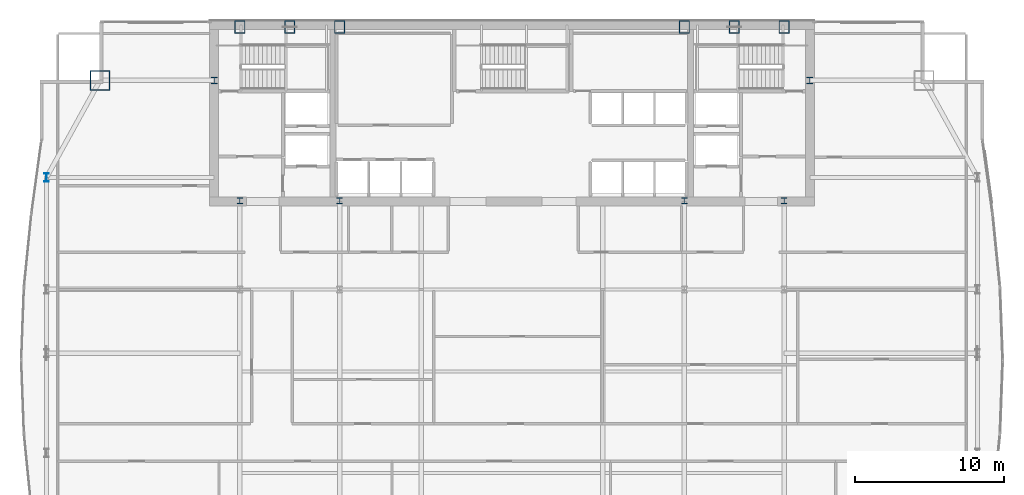
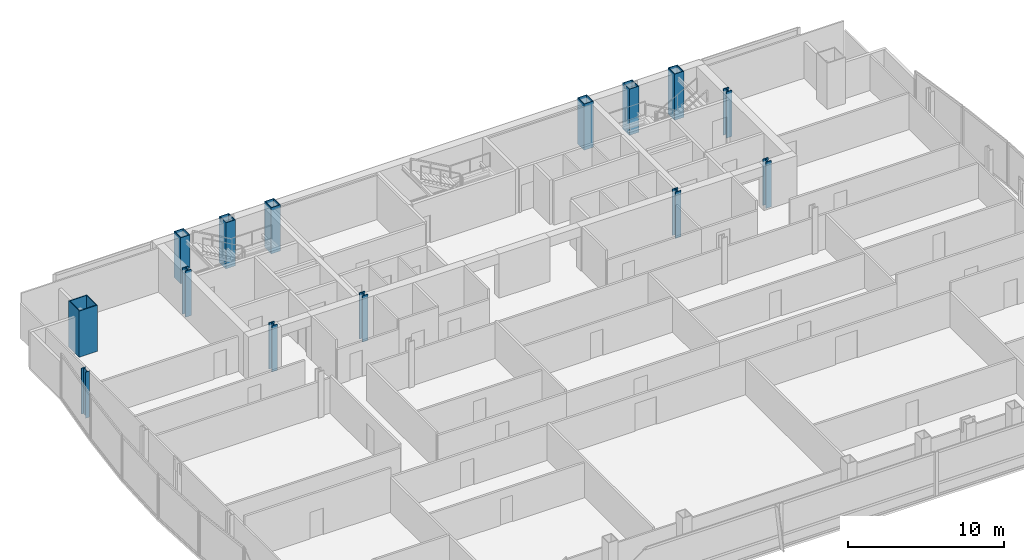
# One storey, part 3 of 29: 14 columns.
"""IFC4 building model written with IfcOpenShell, lengths in metres."""

from ifc_helpers import new_model, si_unit, direction, frame, origin, origin_2d, place, context, subcontext, project, spatial, hollow_rectangle, i_section, extrude, material, material_profile, profile_set, type_object, element, save


model = new_model("IFC4")

# Units and contexts
model_context = context("Model", 3, precision=1e-05, world=origin(), true_north=direction((0.0, 1.0)))
body_context = subcontext(model_context, "Body", "Model", "MODEL_VIEW")
ifc_project = project(units=[si_unit("LENGTHUNIT", "METRE"), si_unit("AREAUNIT", "SQUARE_METRE"), si_unit("VOLUMEUNIT", "CUBIC_METRE"), si_unit("PLANEANGLEUNIT", "RADIAN"), si_unit("MASSUNIT", "GRAM", prefix="KILO")], contexts=[model_context])

# Site, building, storey
site_placement = place(None, origin())
site = spatial("IfcSite", under=ifc_project, at=site_placement, CompositionType="ELEMENT")
building_placement = place(site_placement, origin())
building = spatial("IfcBuilding", under=site, at=building_placement, Name="Khoronbel Lancet Exchange", CompositionType="ELEMENT")
storey_placement = place(building_placement, frame((0.0, 0.0, 177.0)))
storey = spatial("IfcBuildingStorey", under=building, at=storey_placement, Name="L44", CompositionType="ELEMENT", Elevation=177.0)

# Columns
ifc_material_1 = material(Name="Steel S460", Category="steel")
ifc_material_profile_1 = material_profile(ifc_material_1, hollow_rectangle(XDim=0.699951171875, YDim=0.85009765625, WallThickness=0.050048828125, at=origin_2d()), Name="BOX 850x700x50")
ifc_profile_set_1 = profile_set([ifc_material_profile_1], Name="Steel S460")
column_type_1 = type_object("IfcColumnType", Name="COL-EC2", PredefinedType="COLUMN", material=ifc_profile_set_1)
for number, where, z_axis, x_axis, name in (
    (1, (18.22509765625, 53.280029296875, 0.0), (0.0, 0.0, 1.0), (1.0, 0.0, 0.0), "Structural column NC-W1 L44"),
    (2, (21.5625, 53.280029296875, 0.0), (0.0, 0.0, 1.0), (1.0, 0.0, 0.0), "Structural column NC-WM L44"),
    (3, (24.89990234375, 53.280029296875, 0.0), (0.0, 0.0, 1.0), (1.0, 0.0, 0.0), "Structural column NC-W2 L44"),
    (4, (48.0, 53.280029296875, 0.0), (0.0, 0.0, 1.0), (1.0, 0.0, 0.0), "Structural column NC-E1 L44"),
    (5, (51.33740234375, 53.280029296875, 0.0), (0.0, 0.0, 1.0), (1.0, 0.0, 0.0), "Structural column NC-EM L44"),
    (6, (54.675048828125, 53.280029296875, 0.0), (0.0, 0.0, 1.0), (1.0, 0.0, 0.0), "Structural column NC-E2 L44"),
):
    element("IfcColumn", number, at=place(storey_placement, frame(where, z_axis=z_axis, x_axis=x_axis)), inside=storey, type_object=column_type_1, Name=name, PredefinedType="COLUMN", context=body_context, shape_type="SweptSolid", body=[
        extrude(hollow_rectangle(XDim=0.699951171875, YDim=0.85009765625, WallThickness=0.050048828125, at=origin_2d()), origin(), (0.0, 0.0, 1.0), 3.60009765625),
    ])
ifc_material_profile_2 = material_profile(ifc_material_1, i_section(OverallWidth=0.416015625, OverallDepth=0.446044921875, WebThickness=0.0390625, FlangeThickness=0.062744140625, at=origin_2d()), Name="HD 400x509")
ifc_profile_set_2 = profile_set([ifc_material_profile_2], Name="Steel S460")
column_type_2 = type_object("IfcColumnType", Name="COL-IC2", PredefinedType="COLUMN", material=ifc_profile_set_2)
for number, where, z_axis, x_axis, name in (
    (7, (16.5, 49.699951171875, 0.0), (0.0, 0.0, 1.0), (1.0, 0.0, 0.0), "Core-flank plumb transfer column CFW L44"),
    (8, (56.39990234375, 49.699951171875, 0.0), (0.0, 0.0, 1.0), (1.0, 0.0, 0.0), "Core-flank plumb transfer column CFE L44"),
    (9, (18.22509765625, 41.64990234375, 0.0), (0.0, 0.0, 1.0), (1.0, 0.0, 0.0), "Core-embedded steel column CTC1 L44"),
    (10, (24.89990234375, 41.64990234375, 0.0), (0.0, 0.0, 1.0), (1.0, 0.0, 0.0), "Core-embedded steel column CTC2 L44"),
    (11, (48.0, 41.64990234375, 0.0), (0.0, 0.0, 1.0), (1.0, 0.0, 0.0), "Core-embedded steel column CTC3 L44"),
    (12, (54.675048828125, 41.64990234375, 0.0), (0.0, 0.0, 1.0), (1.0, 0.0, 0.0), "Core-embedded steel column CTC4 L44"),
):
    element("IfcColumn", number, at=place(storey_placement, frame(where, z_axis=z_axis, x_axis=x_axis)), inside=storey, type_object=column_type_2, Name=name, PredefinedType="COLUMN", context=body_context, shape_type="SweptSolid", body=[
        extrude(i_section(OverallWidth=0.416015625, OverallDepth=0.446044921875, WebThickness=0.0390625, FlangeThickness=0.062744140625, at=origin_2d()), origin(), (0.0, 0.0, 1.0), 3.60009765625),
    ])
ifc_material_2 = material(Name="Steel S355", Category="steel")
ifc_material_profile_3 = material_profile(ifc_material_2, i_section(OverallWidth=0.300048828125, OverallDepth=0.550048828125, WebThickness=0.014892578125, FlangeThickness=0.029052734375, at=origin_2d()), Name="HEB 550")
ifc_profile_set_3 = profile_set([ifc_material_profile_3], Name="Steel S355")
column_type_3 = type_object("IfcColumnType", Name="COL-LC1", PredefinedType="COLUMN", material=ifc_profile_set_3)
column_1_placement = place(storey_placement, frame((5.27001953125, 43.199951171875, 0.0), z_axis=(0.0, 0.0, 1.0), x_axis=(1.0, 0.0, 0.0)))
element("IfcColumn", 13, at=column_1_placement, inside=storey, type_object=column_type_3, Name="Structural column WC-4 L44", PredefinedType="COLUMN", context=body_context, shape_type="SweptSolid", body=[
    extrude(i_section(OverallWidth=0.300048828125, OverallDepth=0.550048828125, WebThickness=0.014892578125, FlangeThickness=0.029052734375, at=origin_2d()), origin(), (0.0, 0.0, 1.0), 3.60009765625),
])
ifc_material_profile_4 = material_profile(ifc_material_1, hollow_rectangle(XDim=1.35009765625, YDim=1.35009765625, WallThickness=0.06494140625, at=origin_2d()), Name="BOX 1350x1350x65")
ifc_profile_set_4 = profile_set([ifc_material_profile_4], Name="Steel S460")
column_type_4 = type_object("IfcColumnType", Name="COL-MC4", PredefinedType="COLUMN", material=ifc_profile_set_4)
column_2_placement = place(storey_placement, frame((8.85009765625, 49.699951171875, 0.0), z_axis=(0.0, 0.0, 1.0), x_axis=(1.0, 0.0, 0.0)))
element("IfcColumn", 14, at=column_2_placement, inside=storey, type_object=column_type_4, Name="Structural column MC-NW L44", PredefinedType="COLUMN", context=body_context, shape_type="SweptSolid", body=[
    extrude(hollow_rectangle(XDim=1.35009765625, YDim=1.35009765625, WallThickness=0.06494140625, at=origin_2d()), origin(), (0.0, 0.0, 1.0), 3.60009765625),
])

save(model, "model.ifc")
